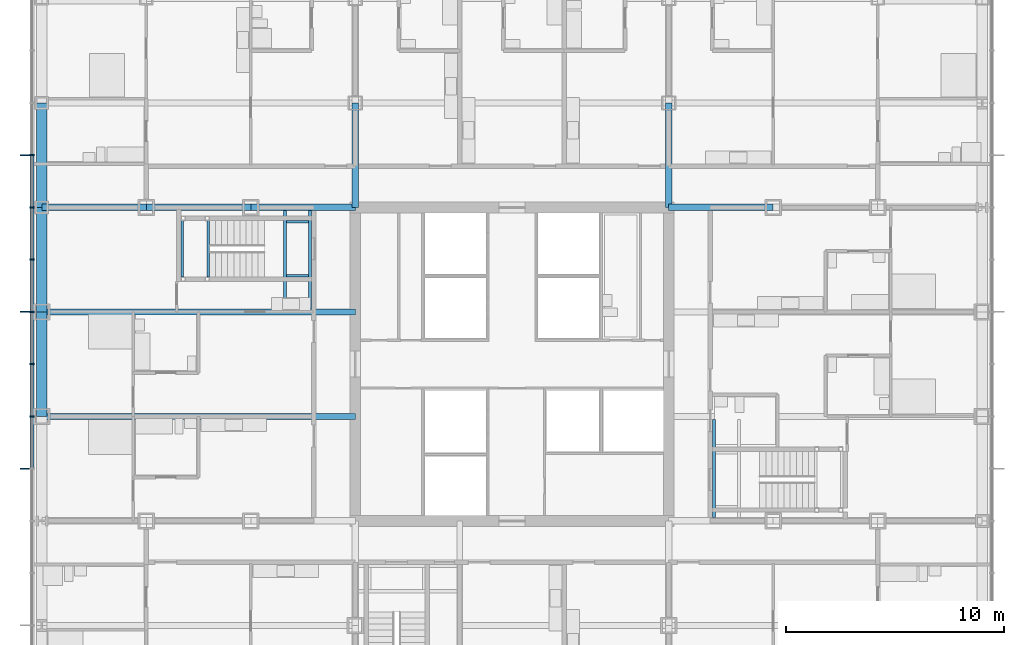
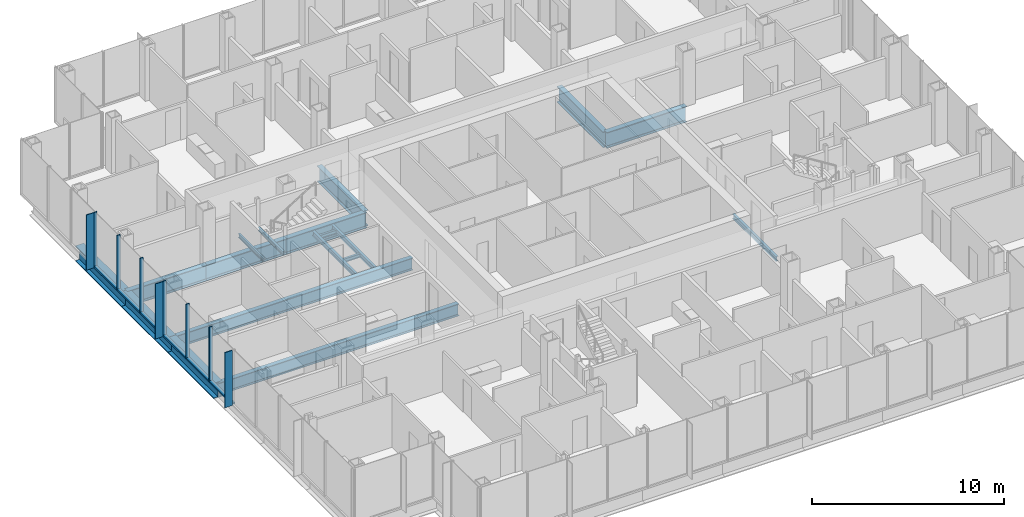
# One storey, part 8 of 21: 18 beams, 15 members, 1 element without a shape of its own.
"""IFC4 building model written with IfcOpenShell, lengths in metres."""

from ifc_helpers import new_model, si_unit, direction, frame, origin, origin_2d, place, context, subcontext, project, spatial, rectangle, i_section, extrude, material, material_profile, profile_set, type_object, element, aggregate, save


model = new_model("IFC4")

# Units and contexts
model_context = context("Model", 3, precision=1e-05, world=origin(), true_north=direction((0.0, 1.0)))
body_context = subcontext(model_context, "Body", "Model", "MODEL_VIEW")
ifc_project = project(units=[si_unit("LENGTHUNIT", "METRE"), si_unit("AREAUNIT", "SQUARE_METRE"), si_unit("VOLUMEUNIT", "CUBIC_METRE"), si_unit("PLANEANGLEUNIT", "RADIAN"), si_unit("MASSUNIT", "GRAM", prefix="KILO")], contexts=[model_context])

# Site, building, storey
site_placement = place(None, origin())
site = spatial("IfcSite", under=ifc_project, at=site_placement, CompositionType="ELEMENT")
building_placement = place(site_placement, origin())
building = spatial("IfcBuilding", under=site, at=building_placement, Name="Kvirike Care Tower", CompositionType="ELEMENT")
storey_placement = place(building_placement, frame((0.0, 0.0, 55.0)))
storey = spatial("IfcBuildingStorey", under=building, at=storey_placement, Name="L14", CompositionType="ELEMENT", Elevation=55.0)

# Curtain wall, members
ifc_material_1 = material(Name="Anodised aluminium stick system", Category="aluminium")
curtain_wall_type = type_object("IfcCurtainWallType", Name="CW-A STICK CURTAIN WALL", PredefinedType="NOTDEFINED", material=ifc_material_1)
curtain_wall_placement = place(storey_placement, origin())
curtain_wall = element("IfcCurtainWall", 1, at=curtain_wall_placement, inside=storey, type_object=curtain_wall_type, Name="Curtain wall L14 face 1", PredefinedType="NOTDEFINED")
ifc_material_2 = material(Name="Bronze anodised aluminium fin", Category="aluminium")
ifc_material_profile_1 = material_profile(ifc_material_2, rectangle(XDim=0.050048828125, YDim=0.449951171875, at=origin_2d()), Name="BRONZE FIN 450")
ifc_profile_set_1 = profile_set([ifc_material_profile_1], Name="Bronze anodised aluminium fin")
member_type_1 = type_object("IfcMemberType", Name="BRONZE FIN 450", PredefinedType="USERDEFINED", material=ifc_profile_set_1)
member_1_placement = place(storey_placement, frame((-0.77490234375, 45.60009765625, 0.0), z_axis=(0.0, 0.0, 1.0), x_axis=(0.0, -1.0, 0.0)))
member_1 = element("IfcMember", 2, at=member_1_placement, type_object=member_type_1, Name="Bronze fin L14 face 1.4", ObjectType="FIN", PredefinedType="USERDEFINED", context=body_context, shape_type="SweptSolid", body=[
    extrude(rectangle(XDim=0.050048828125, YDim=0.449951171875, at=origin_2d()), origin(), (0.0, 0.0, 1.0), 3.5),
])
member_2_placement = place(storey_placement, frame((-0.77490234375, 38.39990234375, 0.0), z_axis=(0.0, 0.0, 1.0), x_axis=(0.0, -1.0, 0.0)))
member_2 = element("IfcMember", 3, at=member_2_placement, type_object=member_type_1, Name="Bronze fin L14 face 1.7", ObjectType="FIN", PredefinedType="USERDEFINED", context=body_context, shape_type="SweptSolid", body=[
    extrude(rectangle(XDim=0.050048828125, YDim=0.449951171875, at=origin_2d()), origin(), (0.0, 0.0, 1.0), 3.5),
])
member_3_placement = place(storey_placement, frame((-0.77490234375, 31.199951171875, 0.0), z_axis=(0.0, 0.0, 1.0), x_axis=(0.0, -1.0, 0.0)))
member_3 = element("IfcMember", 4, at=member_3_placement, type_object=member_type_1, Name="Bronze fin L14 face 1.10", ObjectType="FIN", PredefinedType="USERDEFINED", context=body_context, shape_type="SweptSolid", body=[
    extrude(rectangle(XDim=0.050048828125, YDim=0.449951171875, at=origin_2d()), origin(), (0.0, 0.0, 1.0), 3.5),
])
ifc_material_3 = material(Name="Bronze anodised aluminium mullion", Category="aluminium")
ifc_material_profile_2 = material_profile(ifc_material_3, rectangle(XDim=0.06494140625, YDim=0.199951171875, at=origin_2d()), Name="CW-A MULLION 65x200")
ifc_profile_set_2 = profile_set([ifc_material_profile_2], Name="Bronze anodised aluminium mullion")
member_type_2 = type_object("IfcMemberType", Name="CW-A MULLION 65x200", PredefinedType="MULLION", material=ifc_profile_set_2)
member_4_placement = place(storey_placement, frame((-0.449951171875, 45.60009765625, 0.0), z_axis=(0.0, 0.0, 1.0), x_axis=(0.0, -1.0, 0.0)))
member_4 = element("IfcMember", 5, at=member_4_placement, type_object=member_type_2, Name="CW-A mullion L14 face 1.4", PredefinedType="MULLION", context=body_context, shape_type="SweptSolid", body=[
    extrude(rectangle(XDim=0.06494140625, YDim=0.199951171875, at=origin_2d()), origin(), (0.0, 0.0, 1.0), 3.5),
])
member_5_placement = place(storey_placement, frame((-0.449951171875, 43.199951171875, 0.0), z_axis=(0.0, 0.0, 1.0), x_axis=(0.0, -1.0, 0.0)))
member_5 = element("IfcMember", 6, at=member_5_placement, type_object=member_type_2, Name="CW-A mullion L14 face 1.5", PredefinedType="MULLION", context=body_context, shape_type="SweptSolid", body=[
    extrude(rectangle(XDim=0.06494140625, YDim=0.199951171875, at=origin_2d()), origin(), (0.0, 0.0, 1.0), 3.5),
])
member_6_placement = place(storey_placement, frame((-0.449951171875, 40.800048828125, 0.0), z_axis=(0.0, 0.0, 1.0), x_axis=(0.0, -1.0, 0.0)))
member_6 = element("IfcMember", 7, at=member_6_placement, type_object=member_type_2, Name="CW-A mullion L14 face 1.6", PredefinedType="MULLION", context=body_context, shape_type="SweptSolid", body=[
    extrude(rectangle(XDim=0.06494140625, YDim=0.199951171875, at=origin_2d()), origin(), (0.0, 0.0, 1.0), 3.5),
])
member_7_placement = place(storey_placement, frame((-0.449951171875, 38.39990234375, 0.0), z_axis=(0.0, 0.0, 1.0), x_axis=(0.0, -1.0, 0.0)))
member_7 = element("IfcMember", 8, at=member_7_placement, type_object=member_type_2, Name="CW-A mullion L14 face 1.7", PredefinedType="MULLION", context=body_context, shape_type="SweptSolid", body=[
    extrude(rectangle(XDim=0.06494140625, YDim=0.199951171875, at=origin_2d()), origin(), (0.0, 0.0, 1.0), 3.5),
])
member_8_placement = place(storey_placement, frame((-0.449951171875, 36.0, 0.0), z_axis=(0.0, 0.0, 1.0), x_axis=(0.0, -1.0, 0.0)))
member_8 = element("IfcMember", 9, at=member_8_placement, type_object=member_type_2, Name="CW-A mullion L14 face 1.8", PredefinedType="MULLION", context=body_context, shape_type="SweptSolid", body=[
    extrude(rectangle(XDim=0.06494140625, YDim=0.199951171875, at=origin_2d()), origin(), (0.0, 0.0, 1.0), 3.5),
])
member_9_placement = place(storey_placement, frame((-0.449951171875, 33.60009765625, 0.0), z_axis=(0.0, 0.0, 1.0), x_axis=(0.0, -1.0, 0.0)))
member_9 = element("IfcMember", 10, at=member_9_placement, type_object=member_type_2, Name="CW-A mullion L14 face 1.9", PredefinedType="MULLION", context=body_context, shape_type="SweptSolid", body=[
    extrude(rectangle(XDim=0.06494140625, YDim=0.199951171875, at=origin_2d()), origin(), (0.0, 0.0, 1.0), 3.5),
])
ifc_material_4 = material(Name="Bronze anodised aluminium transom", Category="aluminium")
ifc_material_profile_3 = material_profile(ifc_material_4, rectangle(XDim=0.199951171875, YDim=0.10009765625, at=origin_2d()), Name="CW-A TRANSOM 200x100")
ifc_profile_set_3 = profile_set([ifc_material_profile_3], Name="Bronze anodised aluminium transom")
member_type_3 = type_object("IfcMemberType", Name="CW-A TRANSOM 200x100", PredefinedType="USERDEFINED", material=ifc_profile_set_3)
member_10_placement = place(storey_placement, frame((-0.449951171875, 45.5673828125, 0.050048828125), z_axis=(0.0, -1.0, 0.0), x_axis=(1.0, 0.0, 0.0)))
member_10 = element("IfcMember", 11, at=member_10_placement, type_object=member_type_3, Name="CW-A sill transom L14 face 1.4", ObjectType="TRANSOM", PredefinedType="USERDEFINED", context=body_context, shape_type="SweptSolid", body=[
    extrude(rectangle(XDim=0.199951171875, YDim=0.10009765625, at=origin_2d()), origin(), (0.0, 0.0, 1.0), 2.3349609375),
])
member_11_placement = place(storey_placement, frame((-0.449951171875, 43.16748046875, 0.050048828125), z_axis=(0.0, -1.0, 0.0), x_axis=(1.0, 0.0, 0.0)))
member_11 = element("IfcMember", 12, at=member_11_placement, type_object=member_type_3, Name="CW-A sill transom L14 face 1.5", ObjectType="TRANSOM", PredefinedType="USERDEFINED", context=body_context, shape_type="SweptSolid", body=[
    extrude(rectangle(XDim=0.199951171875, YDim=0.10009765625, at=origin_2d()), origin(), (0.0, 0.0, 1.0), 2.3349609375),
])
member_12_placement = place(storey_placement, frame((-0.449951171875, 40.767578125, 0.050048828125), z_axis=(0.0, -1.0, 0.0), x_axis=(1.0, 0.0, 0.0)))
member_12 = element("IfcMember", 13, at=member_12_placement, type_object=member_type_3, Name="CW-A sill transom L14 face 1.6", ObjectType="TRANSOM", PredefinedType="USERDEFINED", context=body_context, shape_type="SweptSolid", body=[
    extrude(rectangle(XDim=0.199951171875, YDim=0.10009765625, at=origin_2d()), origin(), (0.0, 0.0, 1.0), 2.3349609375),
])
member_13_placement = place(storey_placement, frame((-0.449951171875, 38.367431640625, 0.050048828125), z_axis=(0.0, -1.0, 0.0), x_axis=(1.0, 0.0, 0.0)))
member_13 = element("IfcMember", 14, at=member_13_placement, type_object=member_type_3, Name="CW-A sill transom L14 face 1.7", ObjectType="TRANSOM", PredefinedType="USERDEFINED", context=body_context, shape_type="SweptSolid", body=[
    extrude(rectangle(XDim=0.199951171875, YDim=0.10009765625, at=origin_2d()), origin(), (0.0, 0.0, 1.0), 2.3349609375),
])
member_14_placement = place(storey_placement, frame((-0.449951171875, 35.967529296875, 0.050048828125), z_axis=(0.0, -1.0, 0.0), x_axis=(1.0, 0.0, 0.0)))
member_14 = element("IfcMember", 15, at=member_14_placement, type_object=member_type_3, Name="CW-A sill transom L14 face 1.8", ObjectType="TRANSOM", PredefinedType="USERDEFINED", context=body_context, shape_type="SweptSolid", body=[
    extrude(rectangle(XDim=0.199951171875, YDim=0.10009765625, at=origin_2d()), origin(), (0.0, 0.0, 1.0), 2.3349609375),
])
member_15_placement = place(storey_placement, frame((-0.449951171875, 33.5673828125, 0.050048828125), z_axis=(0.0, -1.0, 0.0), x_axis=(1.0, 0.0, 0.0)))
member_15 = element("IfcMember", 16, at=member_15_placement, type_object=member_type_3, Name="CW-A sill transom L14 face 1.9", ObjectType="TRANSOM", PredefinedType="USERDEFINED", context=body_context, shape_type="SweptSolid", body=[
    extrude(rectangle(XDim=0.199951171875, YDim=0.10009765625, at=origin_2d()), origin(), (0.0, 0.0, 1.0), 2.3349609375),
])
aggregate(curtain_wall, [member_4, member_1, member_5, member_6, member_7, member_2, member_8, member_9, member_3, member_10, member_11, member_12, member_13, member_14, member_15])

# Beams
ifc_material_5 = material(Name="Steel S355", Category="steel")
ifc_material_profile_4 = material_profile(ifc_material_5, i_section(OverallWidth=0.26806640625, OverallDepth=0.77001953125, WebThickness=0.015625, FlangeThickness=0.025390625, FilletRadius=0.01708984375, at=origin_2d()), Name="IPE 750x196")
ifc_profile_set_4 = profile_set([ifc_material_profile_4], Name="Steel S355")
beam_type_1 = type_object("IfcBeamType", Name="FLOOR BEAM IPE 750x196", PredefinedType="BEAM", material=ifc_profile_set_4)
for number, where, z_axis, x_axis, name in (
    (17, (0.0, 33.60009765625, -0.554931640625), (1.0, 0.0, 0.0), (0.0, 1.0, 0.0), "Floor Beam H3-H6 L14"),
    (18, (0.0, 38.39990234375, -0.554931640625), (1.0, 0.0, 0.0), (0.0, 1.0, 0.0), "Floor Beam J3-J6 L14"),
):
    element("IfcBeam", number, at=place(storey_placement, frame(where, z_axis=z_axis, x_axis=x_axis)), inside=storey, type_object=beam_type_1, Name=name, PredefinedType="BEAM", context=body_context, shape_type="SweptSolid", body=[
        extrude(i_section(OverallWidth=0.26806640625, OverallDepth=0.77001953125, WebThickness=0.015625, FlangeThickness=0.025390625, FilletRadius=0.01708984375, at=origin_2d()), origin(), (0.0, 0.0, 1.0), 14.39990234375),
    ])
ifc_material_6 = material(Name="Steel S355", Category="steel")
ifc_material_profile_5 = material_profile(ifc_material_6, i_section(OverallWidth=0.300048828125, OverallDepth=1.0, WebThickness=0.01904296875, FlangeThickness=0.035888671875, FilletRadius=0.030029296875, at=origin_2d()), Name="HE 1000 B")
ifc_profile_set_5 = profile_set([ifc_material_profile_5], Name="Steel S355")
beam_type_2 = type_object("IfcBeamType", Name="FRAME BEAM HE 1000 B", PredefinedType="BEAM", material=ifc_profile_set_5)
for number, where, z_axis, x_axis, name in (
    (19, (0.0, 43.199951171875, -0.669921875), (1.0, 0.0, 0.0), (0.0, 1.0, 0.0), "Frame Beam K3-K4 L14"),
    (20, (4.800048828125, 43.199951171875, -0.669921875), (1.0, 0.0, 0.0), (0.0, 1.0, 0.0), "Frame Beam K4-K5 L14"),
):
    element("IfcBeam", number, at=place(storey_placement, frame(where, z_axis=z_axis, x_axis=x_axis)), inside=storey, type_object=beam_type_2, Name=name, PredefinedType="BEAM", context=body_context, shape_type="SweptSolid", body=[
        extrude(i_section(OverallWidth=0.300048828125, OverallDepth=1.0, WebThickness=0.01904296875, FlangeThickness=0.035888671875, FilletRadius=0.030029296875, at=origin_2d()), origin(), (0.0, 0.0, 1.0), 4.800048828125),
    ])
beam_1_placement = place(storey_placement, frame((9.60009765625, 43.199951171875, -0.669921875), z_axis=(1.0, 0.0, 0.0), x_axis=(0.0, 1.0, 0.0)))
element("IfcBeam", 21, at=beam_1_placement, inside=storey, type_object=beam_type_2, Name="Frame Beam K5-K6 L14", PredefinedType="BEAM", context=body_context, shape_type="SweptSolid", body=[
    extrude(i_section(OverallWidth=0.300048828125, OverallDepth=1.0, WebThickness=0.01904296875, FlangeThickness=0.035888671875, FilletRadius=0.030029296875, at=origin_2d()), origin(), (0.0, 0.0, 1.0), 4.7998046875),
])
for number, where, z_axis, x_axis, name in (
    (22, (28.800048828125, 43.199951171875, -0.669921875), (1.0, 0.0, 0.0), (0.0, 1.0, 0.0), "Frame Beam K9-K10 L14"),
    (23, (14.39990234375, 43.199951171875, -0.669921875), (0.0, 1.0, 0.0), (-1.0, 0.0, 0.0), "Frame Beam K6-L6 L14"),
    (24, (28.800048828125, 43.199951171875, -0.669921875), (0.0, 1.0, 0.0), (-1.0, 0.0, 0.0), "Frame Beam K9-L9 L14"),
):
    element("IfcBeam", number, at=place(storey_placement, frame(where, z_axis=z_axis, x_axis=x_axis)), inside=storey, type_object=beam_type_2, Name=name, PredefinedType="BEAM", context=body_context, shape_type="SweptSolid", body=[
        extrude(i_section(OverallWidth=0.300048828125, OverallDepth=1.0, WebThickness=0.01904296875, FlangeThickness=0.035888671875, FilletRadius=0.030029296875, at=origin_2d()), origin(), (0.0, 0.0, 1.0), 4.800048828125),
    ])
ifc_material_7 = material(Name="Steel S355", Category="steel")
ifc_material_profile_6 = material_profile(ifc_material_7, i_section(OverallWidth=0.5, OverallDepth=1.0, WebThickness=0.030029296875, FlangeThickness=0.06005859375, at=origin_2d()), Name="PG 1000x500x30x60")
ifc_profile_set_6 = profile_set([ifc_material_profile_6], Name="Steel S355")
beam_type_3 = type_object("IfcBeamType", Name="SPANDREL PG 1000x500x30x60", PredefinedType="SPANDREL", material=ifc_profile_set_6)
beam_2_placement = place(storey_placement, frame((0.0, 33.60009765625, -0.669921875), z_axis=(0.0, 1.0, 0.0), x_axis=(-1.0, 0.0, 0.0)))
element("IfcBeam", 25, at=beam_2_placement, inside=storey, type_object=beam_type_3, Name="Spandrel H3-J3 L14", PredefinedType="SPANDREL", context=body_context, shape_type="SweptSolid", body=[
    extrude(i_section(OverallWidth=0.5, OverallDepth=1.0, WebThickness=0.030029296875, FlangeThickness=0.06005859375, at=origin_2d()), origin(), (0.0, 0.0, 1.0), 4.7998046875),
])
for number, where, z_axis, x_axis, name in (
    (26, (0.0, 38.39990234375, -0.669921875), (0.0, 1.0, 0.0), (-1.0, 0.0, 0.0), "Spandrel J3-K3 L14"),
    (27, (0.0, 43.199951171875, -0.669921875), (0.0, 1.0, 0.0), (-1.0, 0.0, 0.0), "Spandrel K3-L3 L14"),
):
    element("IfcBeam", number, at=place(storey_placement, frame(where, z_axis=z_axis, x_axis=x_axis)), inside=storey, type_object=beam_type_3, Name=name, PredefinedType="SPANDREL", context=body_context, shape_type="SweptSolid", body=[
        extrude(i_section(OverallWidth=0.5, OverallDepth=1.0, WebThickness=0.030029296875, FlangeThickness=0.06005859375, at=origin_2d()), origin(), (0.0, 0.0, 1.0), 4.800048828125),
    ])
ifc_material_8 = material(Name="Steel S355", Category="steel")
ifc_material_profile_7 = material_profile(ifc_material_8, i_section(OverallWidth=0.1201171875, OverallDepth=0.239990234375, WebThickness=0.006103515625, FlangeThickness=0.009765625, FilletRadius=0.014892578125, at=origin_2d()), Name="IPE 240")
ifc_profile_set_7 = profile_set([ifc_material_profile_7], Name="Steel S355")
beam_type_4 = type_object("IfcBeamType", Name="STAIR LANDING BEAM IPE 240", PredefinedType="BEAM", material=ifc_profile_set_7)
for number, where, z_axis, x_axis, name in (
    (28, (6.4599609375, 42.60009765625, 1.429931640625), (0.0, -1.0, 0.0), (1.0, 0.0, 0.0), "Stair 1 landing beam back L14"),
    (29, (7.639892578125, 42.60009765625, 1.429931640625), (0.0, -1.0, 0.0), (1.0, 0.0, 0.0), "Stair 1 landing beam front L14"),
):
    element("IfcBeam", number, at=place(storey_placement, frame(where, z_axis=z_axis, x_axis=x_axis)), inside=storey, type_object=beam_type_4, Name=name, PredefinedType="BEAM", context=body_context, shape_type="SweptSolid", body=[
        extrude(i_section(OverallWidth=0.1201171875, OverallDepth=0.239990234375, WebThickness=0.006103515625, FlangeThickness=0.009765625, FilletRadius=0.014892578125, at=origin_2d()), origin(), (0.0, 0.0, 1.0), 2.60009765625),
    ])
for number, where, z_axis, x_axis, name in (
    (30, (11.25, 42.5400390625, -0.320068359375), (1.0, 0.0, 0.0), (0.0, 1.0, 0.0), "Stair 1 landing edge beam 1 L14"),
    (31, (11.25, 40.06005859375, -0.320068359375), (1.0, 0.0, 0.0), (0.0, 1.0, 0.0), "Stair 1 landing edge beam 2 L14"),
):
    element("IfcBeam", number, at=place(storey_placement, frame(where, z_axis=z_axis, x_axis=x_axis)), inside=storey, type_object=beam_type_4, Name=name, PredefinedType="BEAM", context=body_context, shape_type="SweptSolid", body=[
        extrude(i_section(OverallWidth=0.1201171875, OverallDepth=0.239990234375, WebThickness=0.006103515625, FlangeThickness=0.009765625, FilletRadius=0.014892578125, at=origin_2d()), origin(), (0.0, 0.0, 1.0), 1.0),
    ])
ifc_material_9 = material(Name="Steel S355", Category="steel")
ifc_material_profile_8 = material_profile(ifc_material_9, i_section(OverallWidth=0.14990234375, OverallDepth=0.300048828125, WebThickness=0.007080078125, FlangeThickness=0.0107421875, FilletRadius=0.014892578125, at=origin_2d()), Name="IPE 300")
ifc_profile_set_8 = profile_set([ifc_material_profile_8], Name="Steel S355")
beam_type_5 = type_object("IfcBeamType", Name="STAIR TRIMMER IPE 300", PredefinedType="BEAM", material=ifc_profile_set_8)
for number, where, z_axis, x_axis, name in (
    (32, (11.175048828125, 43.050048828125, -0.35009765625), (0.0, -1.0, 0.0), (1.0, 0.0, 0.0), "Stair 1 trimmer 1 L14"),
    (33, (12.324951171875, 43.050048828125, -0.35009765625), (0.0, -1.0, 0.0), (1.0, 0.0, 0.0), "Stair 1 trimmer 2 L14"),
    (34, (30.875, 28.949951171875, -0.35009765625), (0.0, 1.0, 0.0), (-1.0, 0.0, 0.0), "Stair 2 trimmer 2 L14"),
):
    element("IfcBeam", number, at=place(storey_placement, frame(where, z_axis=z_axis, x_axis=x_axis)), inside=storey, type_object=beam_type_5, Name=name, PredefinedType="BEAM", context=body_context, shape_type="SweptSolid", body=[
        extrude(i_section(OverallWidth=0.14990234375, OverallDepth=0.300048828125, WebThickness=0.007080078125, FlangeThickness=0.0107421875, FilletRadius=0.014892578125, at=origin_2d()), origin(), (0.0, 0.0, 1.0), 4.51611328125),
    ])

save(model, "model.ifc")
